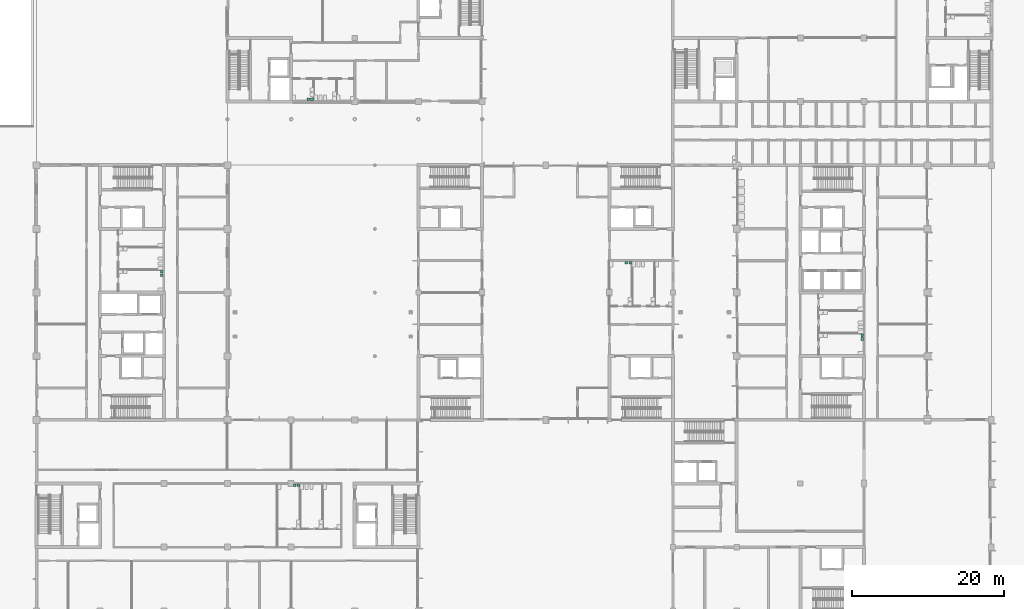
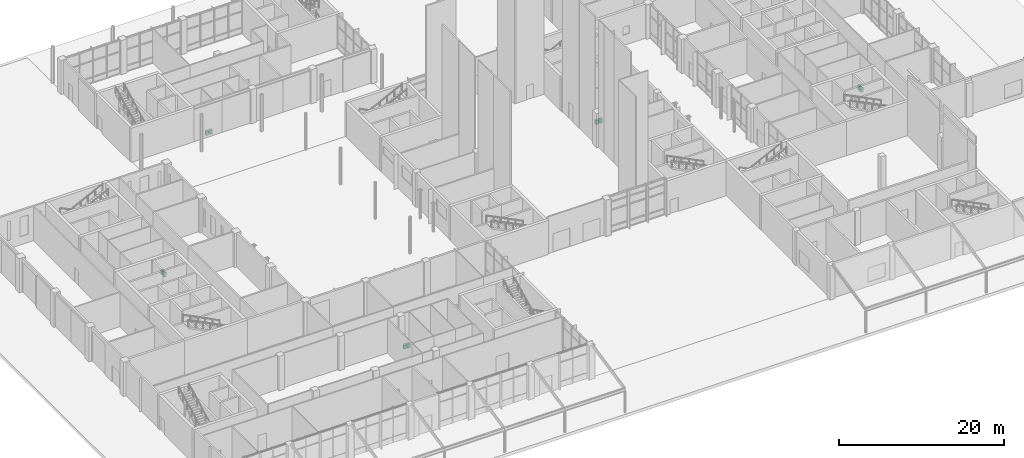
# One storey, part 74 of 76: 10 sanitary terminals.
"""IFC4 building model written with IfcOpenShell, lengths in metres."""

import ifcopenshell
import ifcopenshell.guid

model = None  # the IFC model being written
_history = None  # IfcOwnerHistory: only IFC2X3 demands one
_inside = {}  # id of a spatial element -> (the spatial element, [elements in it])
_under = {}  # id of a project, library or spatial element -> (it, [spatial elements below it])
_declared = {}  # id of a project -> (the project, [libraries it declares])
_typed = {}  # id of a type object -> (the type object, [elements of that type])
_made_of = {}  # id of a material, layer set ... -> (it, [elements and type objects made of it])


def new_model(schema):
    """Start an empty IFC model of exactly this schema.

    Asked for "IFC4X3", IfcOpenShell would pick the latest addendum, in which some entities
    have other attributes; the version numbers below select the first issue.
    IFC2X3 requires an IfcOwnerHistory on every rooted entity: one is made here for all.
    """
    global model, _history
    if schema == "IFC4X3":
        model = ifcopenshell.file(schema_version=(4, 3, 0, 0))
    else:
        model = ifcopenshell.file(schema=schema)
    _inside.clear()
    _under.clear()
    _declared.clear()
    _typed.clear()
    _made_of.clear()
    _history = None
    if model.schema == "IFC2X3":
        org = make("IfcOrganization", Name="unknown")
        user = make(
            "IfcPersonAndOrganization",
            ThePerson=make("IfcPerson", FamilyName="unknown"),
            TheOrganization=org,
        )
        app = make(
            "IfcApplication",
            ApplicationDeveloper=org,
            Version="unknown",
            ApplicationFullName="unknown",
            ApplicationIdentifier="unknown",
        )
        _history = make(
            "IfcOwnerHistory",
            OwningUser=user,
            OwningApplication=app,
            ChangeAction="ADDED",
            CreationDate=0,
        )
    return model


def make(cls, **values):
    """One entity of the class cls with the attributes given. An attribute that is None is left unset."""
    return model.create_entity(
        cls, **{name: value for name, value in values.items() if value is not None}
    )


def rooted(cls, **values):
    """An entity with a GlobalId (a new one), such as an element, a storey or a relation."""
    return make(cls, GlobalId=ifcopenshell.guid.new(), OwnerHistory=_history, **values)


def si_unit(unit_type, name, prefix=None):
    """IfcSIUnit, for example si_unit("LENGTHUNIT", "METRE", prefix="MILLI")."""
    return make("IfcSIUnit", UnitType=unit_type, Prefix=prefix, Name=name)


def assignment(units):
    """IfcUnitAssignment: the units of a project."""
    return None if units is None else make("IfcUnitAssignment", Units=units)


def point(xyz):
    """IfcCartesianPoint."""
    return None if xyz is None else make("IfcCartesianPoint", Coordinates=xyz)


def direction(xyz):
    """IfcDirection."""
    return None if xyz is None else make("IfcDirection", DirectionRatios=xyz)


def frame(location, z_axis=None, x_axis=None):
    """IfcAxis2Placement3D, a coordinate frame: its origin and axes. An axis left out is left unset."""
    return make(
        "IfcAxis2Placement3D",
        Location=point(location),
        Axis=direction(z_axis),
        RefDirection=direction(x_axis),
    )


def frame_2d(location, x_axis=None):
    """IfcAxis2Placement2D, a coordinate frame in the plane: its origin and x axis."""
    return make(
        "IfcAxis2Placement2D", Location=point(location), RefDirection=direction(x_axis)
    )


def origin():
    """The frame at (0, 0, 0) with its axes left unset."""
    return frame((0.0, 0.0, 0.0))


def origin_2d():
    """The frame at (0, 0) in the plane with its x axis left unset."""
    return frame_2d((0.0, 0.0))


def place(relative_to, where):
    """IfcLocalPlacement: puts the frame where relative to a parent placement (None: the world)."""
    return make(
        "IfcLocalPlacement", PlacementRelTo=relative_to, RelativePlacement=where
    )


def context(
    kind, dimensions, precision=None, world=None, true_north=None, identifier=None
):
    """IfcGeometricRepresentationContext, for example the 3D "Model" context."""
    return make(
        "IfcGeometricRepresentationContext",
        ContextIdentifier=identifier,
        ContextType=kind,
        CoordinateSpaceDimension=dimensions,
        Precision=precision,
        WorldCoordinateSystem=world,
        TrueNorth=true_north,
    )


def subcontext(parent, identifier, kind, view, scale=None):
    """IfcGeometricRepresentationSubContext, for example "Body" below "Model"."""
    return make(
        "IfcGeometricRepresentationSubContext",
        ContextIdentifier=identifier,
        ContextType=kind,
        ParentContext=parent,
        TargetScale=scale,
        TargetView=view,
    )


def project(units=None, contexts=None):
    """IfcProject with its units and contexts."""
    return rooted(
        "IfcProject",
        Name="project",
        RepresentationContexts=contexts,
        UnitsInContext=assignment(units),
    )


def spatial(cls, under=None, at=None, **own):
    """A site, building, storey or space (cls), placed at a placement, below another one or the project."""
    s = rooted(cls, ObjectPlacement=at, **own)
    if under is not None:
        _under.setdefault(under.id(), (under, []))[1].append(s)
    return s


def profile(cls, at=None, kind="AREA", **sizes):
    """A parametric profile (cls). Its sizes go by their IFC names, for example OverallWidth=200.0."""
    return make(cls, ProfileType=kind, Position=at, **sizes)


def rectangle(**sizes):
    """IfcRectangleProfileDef."""
    return profile("IfcRectangleProfileDef", **sizes)


def extrude(swept, where, along, depth):
    """IfcExtrudedAreaSolid: the profile swept, set in the frame where, extruded along a direction by depth."""
    return make(
        "IfcExtrudedAreaSolid",
        SweptArea=swept,
        Position=where,
        ExtrudedDirection=direction(along),
        Depth=depth,
    )


def shape(context_of_items, identifier, shape_type, items):
    """IfcShapeRepresentation: the items that make up one representation, for example the "Body"."""
    return make(
        "IfcShapeRepresentation",
        ContextOfItems=context_of_items,
        RepresentationIdentifier=identifier,
        RepresentationType=shape_type,
        Items=items,
    )


def made_of(thing, what):
    """Note that an element or type object is made of a material, layer set ...; save() writes the relation."""
    if what is not None:
        _made_of.setdefault(what.id(), (what, []))[1].append(thing)
    return thing


def element(
    cls,
    number,
    at=None,
    inside=None,
    cuts=None,
    type_object=None,
    material=None,
    context=None,
    identifier="Body",
    shape_type=None,
    held_by="IfcProductDefinitionShape",
    body=None,
    shapes=None,
    **own,
):
    """One element of the class cls, such as IfcWall. Its Tag is "e" and its number.

    at: its placement. inside: the storey or other place that contains it. cuts: it is an
    opening in that element (IfcRelVoidsElement). A single representation is given by context,
    identifier, shape_type and body (its items); several are given by shapes. held_by: the class
    of the entity that holds the representations. save() writes the other relations.
    """
    e = rooted(cls, Tag="e%d" % number, ObjectPlacement=at, **own)
    if body is not None:
        shapes = [shape(context, identifier, shape_type, body)]
    if shapes is not None:
        e.Representation = make(held_by, Representations=shapes)
    if inside is not None:
        _inside.setdefault(inside.id(), (inside, []))[1].append(e)
    if cuts is not None:
        rooted(
            "IfcRelVoidsElement", RelatingBuildingElement=cuts, RelatedOpeningElement=e
        )
    if type_object is not None:
        _typed.setdefault(type_object.id(), (type_object, []))[1].append(e)
    return made_of(e, material)


def aggregate(whole, parts):
    """IfcRelAggregates: a whole, such as a stair, and the parts it consists of."""
    return rooted("IfcRelAggregates", RelatingObject=whole, RelatedObjects=parts)


def save(model, path):
    """Write the relations noted so far, then the file.

    IfcRelAggregates (storeys below a building ...), IfcRelContainedInSpatialStructure (elements
    in a storey), IfcRelDefinesByType, IfcRelAssociatesMaterial and IfcRelDeclares: one each for
    every whole, place, type object, material and project.
    """
    for whole, parts in _under.values():
        aggregate(whole, parts)
    for where, things in _inside.values():
        rooted(
            "IfcRelContainedInSpatialStructure",
            RelatedElements=things,
            RelatingStructure=where,
        )
    for kind, things in _typed.values():
        rooted("IfcRelDefinesByType", RelatedObjects=things, RelatingType=kind)
    for what, things in _made_of.values():
        rooted("IfcRelAssociatesMaterial", RelatedObjects=things, RelatingMaterial=what)
    for by, libraries in _declared.values():
        rooted("IfcRelDeclares", RelatingContext=by, RelatedDefinitions=libraries)
    model.write(path)


model = new_model("IFC4")

# Units and contexts
model_context = context("Model", 3, precision=1e-05, world=origin(), true_north=direction((0.0, 1.0)))
body_context = subcontext(model_context, "Body", "Model", "MODEL_VIEW")
ifc_project = project(units=[si_unit("LENGTHUNIT", "METRE"), si_unit("AREAUNIT", "SQUARE_METRE"), si_unit("VOLUMEUNIT", "CUBIC_METRE"), si_unit("PLANEANGLEUNIT", "RADIAN"), si_unit("MASSUNIT", "GRAM", prefix="KILO")], contexts=[model_context])

# Site, building, storey
site_placement = place(None, origin())
site = spatial("IfcSite", under=ifc_project, at=site_placement, CompositionType="ELEMENT")
building_placement = place(site_placement, origin())
building = spatial("IfcBuilding", under=site, at=building_placement, Name="Hlaing Beacon Police Headquarters", CompositionType="ELEMENT")
storey_placement = place(building_placement, origin())
storey = spatial("IfcBuildingStorey", under=building, at=storey_placement, Name="L00", CompositionType="ELEMENT", Elevation=0.0)

# Sanitary terminals
for number, where, z_axis, x_axis, name in (
    (1, (86.762939453125, 54.324951171875, 0.0), (0.0, 0.0, 1.0), (1.0, 0.0, 0.0), "Urinal"),
    (2, (86.212890625, 54.324951171875, 0.0), (0.0, 0.0, 1.0), (1.0, 0.0, 0.0), "Urinal"),
    (3, (44.761962890625, 75.925048828125, 0.0), (0.0, 0.0, 1.0), (1.0, 0.0, 0.0), "Urinal"),
    (4, (44.262939453125, 75.925048828125, 0.0), (0.0, 0.0, 1.0), (1.0, 0.0, 0.0), "Urinal"),
    (5, (42.962890625, 24.949951171875, 0.0), (0.0, 0.0, 1.0), (1.0, 0.0, 0.0), "Urinal"),
    (6, (42.462890625, 24.949951171875, 0.0), (0.0, 0.0, 1.0), (1.0, 0.0, 0.0), "Urinal"),
    (7, (117.35009765625, 44.761962890625, 0.0), (0.0, 0.0, 1.0), (1.0, 0.0, 0.0), "Urinal"),
    (8, (117.35009765625, 44.262939453125, 0.0), (0.0, 0.0, 1.0), (1.0, 0.0, 0.0), "Urinal"),
    (9, (24.949951171875, 53.162109375, 0.0), (0.0, 0.0, 1.0), (1.0, 0.0, 0.0), "Urinal"),
    (10, (24.949951171875, 52.662109375, 0.0), (0.0, 0.0, 1.0), (1.0, 0.0, 0.0), "Urinal"),
):
    element("IfcSanitaryTerminal", number, at=place(storey_placement, frame(where, z_axis=z_axis, x_axis=x_axis)), inside=storey, Name=name, PredefinedType="URINAL", context=body_context, shape_type="SweptSolid", body=[
        extrude(rectangle(XDim=0.35009765625, YDim=0.35009765625, at=origin_2d()), origin(), (0.0, 0.0, 1.0), 0.60009765625),
    ])

save(model, "model.ifc")
